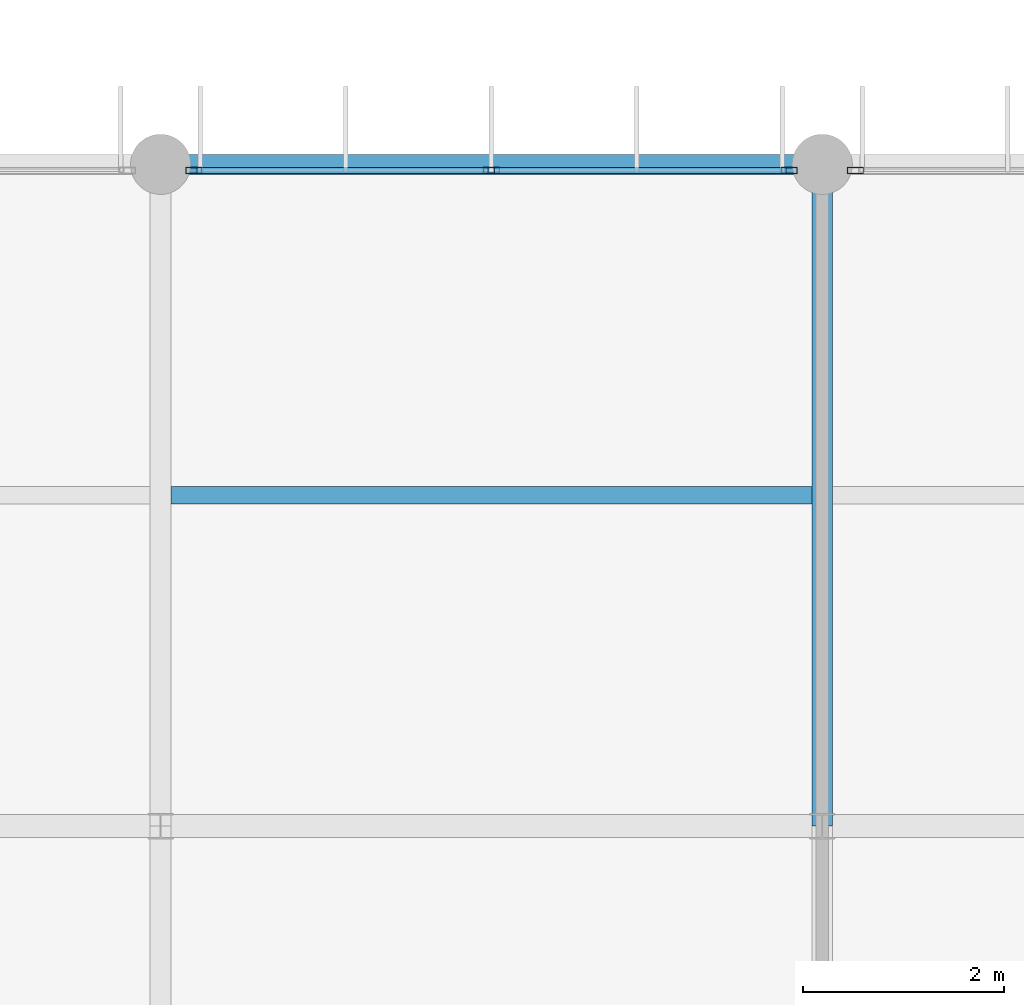
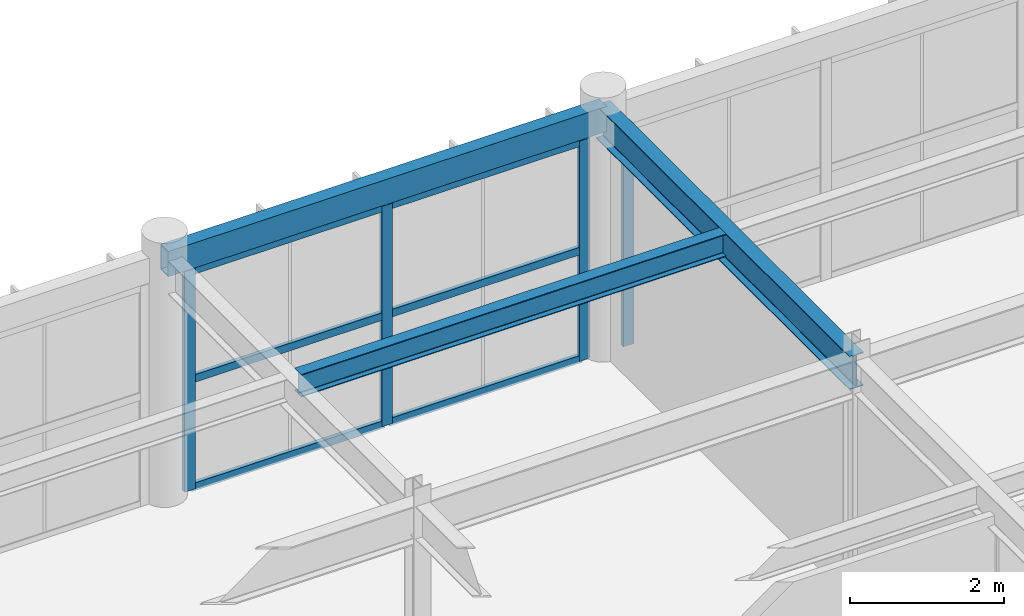
# One storey, part 43 of 66: 10 members, 3 beams, 2 elements without a shape of their own.
"""IFC4 building model written with IfcOpenShell, lengths in metres."""

from ifc_helpers import new_model, si_unit, direction, frame, origin, origin_2d, place, context, subcontext, project, spatial, hollow_rectangle, i_section, extrude, material, material_profile, profile_set, type_object, element, aggregate, save


model = new_model("IFC4")

# Units and contexts
model_context = context("Model", 3, precision=1e-05, world=origin(), true_north=direction((0.0, 1.0)))
body_context = subcontext(model_context, "Body", "Model", "MODEL_VIEW")
ifc_project = project(units=[si_unit("LENGTHUNIT", "METRE"), si_unit("AREAUNIT", "SQUARE_METRE"), si_unit("VOLUMEUNIT", "CUBIC_METRE"), si_unit("PLANEANGLEUNIT", "RADIAN"), si_unit("MASSUNIT", "GRAM", prefix="KILO")], contexts=[model_context])

# Site, building, storey
site_placement = place(None, origin())
site = spatial("IfcSite", under=ifc_project, at=site_placement, CompositionType="ELEMENT")
building_placement = place(site_placement, origin())
building = spatial("IfcBuilding", under=site, at=building_placement, Name="Karori Crest Natural Sciences Institute", CompositionType="ELEMENT")
storey_placement = place(building_placement, frame((0.0, 0.0, 30.10009765625)))
storey = spatial("IfcBuildingStorey", under=building, at=storey_placement, Name="L07", CompositionType="ELEMENT", Elevation=30.10009765625)

# Beams
ifc_material_1 = material(Name="Structural steel AS/NZS 3679.1 Grade 350", Category="steel")
ifc_material_profile_1 = material_profile(ifc_material_1, i_section(OverallWidth=0.208984375, OverallDepth=0.532958984375, WebThickness=0.01025390625, FlangeThickness=0.015625, FilletRadius=0.013916015625, at=origin_2d()), Name="530UB92.4")
ifc_profile_set_1 = profile_set([ifc_material_profile_1], Name="Structural steel AS/NZS 3679.1 Grade 350")
beam_type_1 = type_object("IfcBeamType", Name="BT-05", PredefinedType="BEAM", material=ifc_profile_set_1)
beam_1_placement = place(storey_placement, frame((149.800048828125, 14.0, 3.6533203125), z_axis=(0.0, 1.0, 0.0), x_axis=(-1.0, 0.0, 0.0)))
element("IfcBeam", 1, at=beam_1_placement, inside=storey, type_object=beam_type_1, Name="Beam B-2671", PredefinedType="BEAM", context=body_context, shape_type="SweptSolid", body=[
    extrude(i_section(OverallWidth=0.208984375, OverallDepth=0.532958984375, WebThickness=0.01025390625, FlangeThickness=0.015625, FilletRadius=0.013916015625, at=origin_2d()), origin(), (0.0, 0.0, 1.0), 6.60009765625),
])
ifc_material_profile_2 = material_profile(ifc_material_1, i_section(OverallWidth=0.172119140625, OverallDepth=0.35888671875, WebThickness=0.008056640625, FlangeThickness=0.012939453125, FilletRadius=0.010986328125, at=origin_2d()), Name="360UB56.7")
ifc_profile_set_2 = profile_set([ifc_material_profile_2], Name="Structural steel AS/NZS 3679.1 Grade 350")
beam_type_2 = type_object("IfcBeamType", Name="BT-08", PredefinedType="BEAM", material=ifc_profile_set_2)
beam_2_placement = place(storey_placement, frame((143.304443359375, 17.300048828125, 3.740478515625), z_axis=(1.0, 0.0, 0.0), x_axis=(0.0, 1.0, 0.0)))
element("IfcBeam", 2, at=beam_2_placement, inside=storey, type_object=beam_type_2, Name="Beam B-2691", PredefinedType="BEAM", context=body_context, shape_type="SweptSolid", body=[
    extrude(i_section(OverallWidth=0.172119140625, OverallDepth=0.35888671875, WebThickness=0.008056640625, FlangeThickness=0.012939453125, FilletRadius=0.010986328125, at=origin_2d()), origin(), (0.0, 0.0, 1.0), 6.39111328125),
])
ifc_material_2 = material(Name="Hollow structural steel AS/NZS 1163 Grade C350", Category="steel")
ifc_material_profile_3 = material_profile(ifc_material_2, hollow_rectangle(XDim=0.199951171875, YDim=0.39990234375, WallThickness=0.012451171875, at=origin_2d()), Name="RHS400x200x12.5")
ifc_profile_set_3 = profile_set([ifc_material_profile_3], Name="Hollow structural steel AS/NZS 1163 Grade C350")
beam_type_3 = type_object("IfcBeamType", Name="BT-14", PredefinedType="SPANDREL", material=ifc_profile_set_3)
beam_3_placement = place(storey_placement, frame((143.199951171875, 20.60009765625, 3.719970703125), z_axis=(1.0, 0.0, 0.0), x_axis=(0.0, 1.0, 0.0)))
element("IfcBeam", 3, at=beam_3_placement, inside=storey, type_object=beam_type_3, Name="Beam B-2646", PredefinedType="SPANDREL", context=body_context, shape_type="SweptSolid", body=[
    extrude(hollow_rectangle(XDim=0.199951171875, YDim=0.39990234375, WallThickness=0.012451171875, at=origin_2d()), origin(), (0.0, 0.0, 1.0), 6.60009765625),
])

# Curtain wall, members
ifc_material_3 = material(Name="Anodised architectural aluminium 6063-T6", Category="aluminium")
curtain_wall_type = type_object("IfcCurtainWallType", Name="CWT-20", PredefinedType="NOTDEFINED", material=ifc_material_3)
curtain_wall_1_placement = place(storey_placement, origin())
curtain_wall_1 = element("IfcCurtainWall", 4, at=curtain_wall_1_placement, inside=storey, type_object=curtain_wall_type, Name="Curtain wall CW-0363", PredefinedType="NOTDEFINED")
ifc_material_profile_4 = material_profile(ifc_material_3, hollow_rectangle(XDim=0.06494140625, YDim=0.159912109375, WallThickness=0.00390625, at=origin_2d()), Name="CWM160x65x4")
ifc_profile_set_4 = profile_set([ifc_material_profile_4], Name="Anodised architectural aluminium 6063-T6")
member_type_1 = type_object("IfcMemberType", Name="CWM-01", PredefinedType="MULLION", material=ifc_profile_set_4)
member_1_placement = place(storey_placement, frame((143.530517578125, 20.5400390625, 0.0), z_axis=(0.0, 0.0, 1.0), x_axis=(0.0, 1.0, 0.0)))
member_1 = element("IfcMember", 5, at=member_1_placement, type_object=member_type_1, Name="CW-0363 mullion 1", PredefinedType="MULLION", context=body_context, shape_type="SweptSolid", body=[
    extrude(hollow_rectangle(XDim=0.06494140625, YDim=0.159912109375, WallThickness=0.00390625, at=origin_2d()), origin(), (0.0, 0.0, 1.0), 3.5048828125),
])
member_2_placement = place(storey_placement, frame((146.5, 20.5400390625, 0.0), z_axis=(0.0, 0.0, 1.0), x_axis=(0.0, 1.0, 0.0)))
member_2 = element("IfcMember", 6, at=member_2_placement, type_object=member_type_1, Name="CW-0363 mullion 2", PredefinedType="MULLION", context=body_context, shape_type="SweptSolid", body=[
    extrude(hollow_rectangle(XDim=0.06494140625, YDim=0.159912109375, WallThickness=0.00390625, at=origin_2d()), origin(), (0.0, 0.0, 1.0), 3.5048828125),
])
member_3_placement = place(storey_placement, frame((149.469482421875, 20.5400390625, 0.0), z_axis=(0.0, 0.0, 1.0), x_axis=(0.0, 1.0, 0.0)))
member_3 = element("IfcMember", 7, at=member_3_placement, type_object=member_type_1, Name="CW-0363 mullion 3", PredefinedType="MULLION", context=body_context, shape_type="SweptSolid", body=[
    extrude(hollow_rectangle(XDim=0.06494140625, YDim=0.159912109375, WallThickness=0.00390625, at=origin_2d()), origin(), (0.0, 0.0, 1.0), 3.5048828125),
])

# Curtain wall, member
curtain_wall_2_placement = place(storey_placement, origin())
curtain_wall_2 = element("IfcCurtainWall", 8, at=curtain_wall_2_placement, inside=storey, type_object=curtain_wall_type, Name="Curtain wall CW-0364", PredefinedType="NOTDEFINED")
member_4_placement = place(storey_placement, frame((150.130615234375, 20.5400390625, 0.0), z_axis=(0.0, 0.0, 1.0), x_axis=(0.0, 1.0, 0.0)))
member_4 = element("IfcMember", 9, at=member_4_placement, type_object=member_type_1, Name="CW-0364 mullion 1", PredefinedType="MULLION", context=body_context, shape_type="SweptSolid", body=[
    extrude(hollow_rectangle(XDim=0.06494140625, YDim=0.159912109375, WallThickness=0.00390625, at=origin_2d()), origin(), (0.0, 0.0, 1.0), 3.5048828125),
])
aggregate(curtain_wall_2, [member_4])

# Member
ifc_material_profile_5 = material_profile(ifc_material_3, hollow_rectangle(XDim=0.06005859375, YDim=0.1201171875, WallThickness=0.00390625, at=origin_2d()), Name="CWT120x60x4")
ifc_profile_set_5 = profile_set([ifc_material_profile_5], Name="Anodised architectural aluminium 6063-T6")
member_type_2 = type_object("IfcMemberType", Name="CWT-TR1", PredefinedType="USERDEFINED", material=ifc_profile_set_5)
member_5_placement = place(storey_placement, frame((143.56298828125, 20.5400390625, 0.02978515625), z_axis=(1.0, 0.0, 0.0), x_axis=(0.0, 1.0, 0.0)))
member_5 = element("IfcMember", 10, at=member_5_placement, type_object=member_type_2, Name="CW-0363 transom 1.1", ObjectType="TRANSOM", PredefinedType="USERDEFINED", context=body_context, shape_type="SweptSolid", body=[
    extrude(hollow_rectangle(XDim=0.06005859375, YDim=0.1201171875, WallThickness=0.00390625, at=origin_2d()), origin(), (0.0, 0.0, 1.0), 2.904541015625),
])

member_6_placement = place(storey_placement, frame((143.56298828125, 20.5400390625, 1.75244140625), z_axis=(1.0, 0.0, 0.0), x_axis=(0.0, 1.0, 0.0)))
member_6 = element("IfcMember", 11, at=member_6_placement, type_object=member_type_2, Name="CW-0363 transom 1.2", ObjectType="TRANSOM", PredefinedType="USERDEFINED", context=body_context, shape_type="SweptSolid", body=[
    extrude(hollow_rectangle(XDim=0.06005859375, YDim=0.1201171875, WallThickness=0.00390625, at=origin_2d()), origin(), (0.0, 0.0, 1.0), 2.904541015625),
])

member_7_placement = place(storey_placement, frame((143.56298828125, 20.5400390625, 3.474853515625), z_axis=(1.0, 0.0, 0.0), x_axis=(0.0, 1.0, 0.0)))
member_7 = element("IfcMember", 12, at=member_7_placement, type_object=member_type_2, Name="CW-0363 transom 1.3", ObjectType="TRANSOM", PredefinedType="USERDEFINED", context=body_context, shape_type="SweptSolid", body=[
    extrude(hollow_rectangle(XDim=0.06005859375, YDim=0.1201171875, WallThickness=0.00390625, at=origin_2d()), origin(), (0.0, 0.0, 1.0), 2.904541015625),
])

member_8_placement = place(storey_placement, frame((146.532470703125, 20.5400390625, 0.02978515625), z_axis=(1.0, 0.0, 0.0), x_axis=(0.0, 1.0, 0.0)))
member_8 = element("IfcMember", 13, at=member_8_placement, type_object=member_type_2, Name="CW-0363 transom 2.1", ObjectType="TRANSOM", PredefinedType="USERDEFINED", context=body_context, shape_type="SweptSolid", body=[
    extrude(hollow_rectangle(XDim=0.06005859375, YDim=0.1201171875, WallThickness=0.00390625, at=origin_2d()), origin(), (0.0, 0.0, 1.0), 2.904541015625),
])

member_9_placement = place(storey_placement, frame((146.532470703125, 20.5400390625, 1.75244140625), z_axis=(1.0, 0.0, 0.0), x_axis=(0.0, 1.0, 0.0)))
member_9 = element("IfcMember", 14, at=member_9_placement, type_object=member_type_2, Name="CW-0363 transom 2.2", ObjectType="TRANSOM", PredefinedType="USERDEFINED", context=body_context, shape_type="SweptSolid", body=[
    extrude(hollow_rectangle(XDim=0.06005859375, YDim=0.1201171875, WallThickness=0.00390625, at=origin_2d()), origin(), (0.0, 0.0, 1.0), 2.904541015625),
])

member_10_placement = place(storey_placement, frame((146.532470703125, 20.5400390625, 3.474853515625), z_axis=(1.0, 0.0, 0.0), x_axis=(0.0, 1.0, 0.0)))
member_10 = element("IfcMember", 15, at=member_10_placement, type_object=member_type_2, Name="CW-0363 transom 2.3", ObjectType="TRANSOM", PredefinedType="USERDEFINED", context=body_context, shape_type="SweptSolid", body=[
    extrude(hollow_rectangle(XDim=0.06005859375, YDim=0.1201171875, WallThickness=0.00390625, at=origin_2d()), origin(), (0.0, 0.0, 1.0), 2.904541015625),
])

aggregate(curtain_wall_1, [member_1, member_2, member_3, member_5, member_6, member_7, member_8, member_9, member_10])

save(model, "model.ifc")
